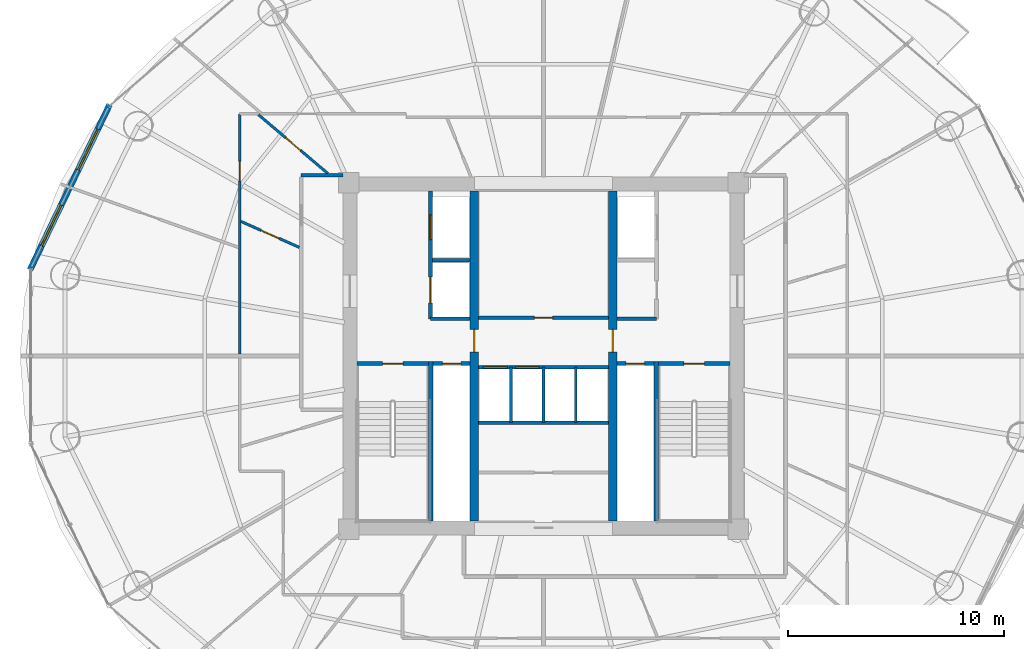
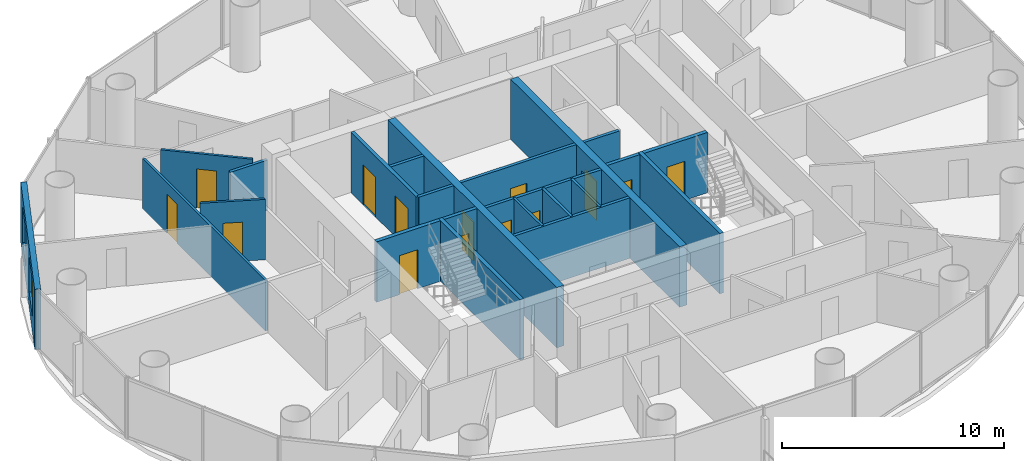
# One storey, part 22 of 27: 23 walls, 14 doors, 2 windows, 16 openings.
"""IFC4 building model written with IfcOpenShell, lengths in metres."""

import ifcopenshell
import ifcopenshell.guid

model = None  # the IFC model being written
_history = None  # IfcOwnerHistory: only IFC2X3 demands one
_inside = {}  # id of a spatial element -> (the spatial element, [elements in it])
_under = {}  # id of a project, library or spatial element -> (it, [spatial elements below it])
_declared = {}  # id of a project -> (the project, [libraries it declares])
_typed = {}  # id of a type object -> (the type object, [elements of that type])
_made_of = {}  # id of a material, layer set ... -> (it, [elements and type objects made of it])


def new_model(schema):
    """Start an empty IFC model of exactly this schema.

    Asked for "IFC4X3", IfcOpenShell would pick the latest addendum, in which some entities
    have other attributes; the version numbers below select the first issue.
    IFC2X3 requires an IfcOwnerHistory on every rooted entity: one is made here for all.
    """
    global model, _history
    if schema == "IFC4X3":
        model = ifcopenshell.file(schema_version=(4, 3, 0, 0))
    else:
        model = ifcopenshell.file(schema=schema)
    _inside.clear()
    _under.clear()
    _declared.clear()
    _typed.clear()
    _made_of.clear()
    _history = None
    if model.schema == "IFC2X3":
        org = make("IfcOrganization", Name="unknown")
        user = make(
            "IfcPersonAndOrganization",
            ThePerson=make("IfcPerson", FamilyName="unknown"),
            TheOrganization=org,
        )
        app = make(
            "IfcApplication",
            ApplicationDeveloper=org,
            Version="unknown",
            ApplicationFullName="unknown",
            ApplicationIdentifier="unknown",
        )
        _history = make(
            "IfcOwnerHistory",
            OwningUser=user,
            OwningApplication=app,
            ChangeAction="ADDED",
            CreationDate=0,
        )
    return model


def make(cls, **values):
    """One entity of the class cls with the attributes given. An attribute that is None is left unset."""
    return model.create_entity(
        cls, **{name: value for name, value in values.items() if value is not None}
    )


def rooted(cls, **values):
    """An entity with a GlobalId (a new one), such as an element, a storey or a relation."""
    return make(cls, GlobalId=ifcopenshell.guid.new(), OwnerHistory=_history, **values)


def si_unit(unit_type, name, prefix=None):
    """IfcSIUnit, for example si_unit("LENGTHUNIT", "METRE", prefix="MILLI")."""
    return make("IfcSIUnit", UnitType=unit_type, Prefix=prefix, Name=name)


def assignment(units):
    """IfcUnitAssignment: the units of a project."""
    return None if units is None else make("IfcUnitAssignment", Units=units)


def point(xyz):
    """IfcCartesianPoint."""
    return None if xyz is None else make("IfcCartesianPoint", Coordinates=xyz)


def direction(xyz):
    """IfcDirection."""
    return None if xyz is None else make("IfcDirection", DirectionRatios=xyz)


def frame(location, z_axis=None, x_axis=None):
    """IfcAxis2Placement3D, a coordinate frame: its origin and axes. An axis left out is left unset."""
    return make(
        "IfcAxis2Placement3D",
        Location=point(location),
        Axis=direction(z_axis),
        RefDirection=direction(x_axis),
    )


def frame_2d(location, x_axis=None):
    """IfcAxis2Placement2D, a coordinate frame in the plane: its origin and x axis."""
    return make(
        "IfcAxis2Placement2D", Location=point(location), RefDirection=direction(x_axis)
    )


def origin():
    """The frame at (0, 0, 0) with its axes left unset."""
    return frame((0.0, 0.0, 0.0))


def place(relative_to, where):
    """IfcLocalPlacement: puts the frame where relative to a parent placement (None: the world)."""
    return make(
        "IfcLocalPlacement", PlacementRelTo=relative_to, RelativePlacement=where
    )


def context(
    kind, dimensions, precision=None, world=None, true_north=None, identifier=None
):
    """IfcGeometricRepresentationContext, for example the 3D "Model" context."""
    return make(
        "IfcGeometricRepresentationContext",
        ContextIdentifier=identifier,
        ContextType=kind,
        CoordinateSpaceDimension=dimensions,
        Precision=precision,
        WorldCoordinateSystem=world,
        TrueNorth=true_north,
    )


def subcontext(parent, identifier, kind, view, scale=None):
    """IfcGeometricRepresentationSubContext, for example "Body" below "Model"."""
    return make(
        "IfcGeometricRepresentationSubContext",
        ContextIdentifier=identifier,
        ContextType=kind,
        ParentContext=parent,
        TargetScale=scale,
        TargetView=view,
    )


def project(units=None, contexts=None):
    """IfcProject with its units and contexts."""
    return rooted(
        "IfcProject",
        Name="project",
        RepresentationContexts=contexts,
        UnitsInContext=assignment(units),
    )


def spatial(cls, under=None, at=None, **own):
    """A site, building, storey or space (cls), placed at a placement, below another one or the project."""
    s = rooted(cls, ObjectPlacement=at, **own)
    if under is not None:
        _under.setdefault(under.id(), (under, []))[1].append(s)
    return s


def profile(cls, at=None, kind="AREA", **sizes):
    """A parametric profile (cls). Its sizes go by their IFC names, for example OverallWidth=200.0."""
    return make(cls, ProfileType=kind, Position=at, **sizes)


def rectangle(**sizes):
    """IfcRectangleProfileDef."""
    return profile("IfcRectangleProfileDef", **sizes)


def extrude(swept, where, along, depth):
    """IfcExtrudedAreaSolid: the profile swept, set in the frame where, extruded along a direction by depth."""
    return make(
        "IfcExtrudedAreaSolid",
        SweptArea=swept,
        Position=where,
        ExtrudedDirection=direction(along),
        Depth=depth,
    )


def shape(context_of_items, identifier, shape_type, items):
    """IfcShapeRepresentation: the items that make up one representation, for example the "Body"."""
    return make(
        "IfcShapeRepresentation",
        ContextOfItems=context_of_items,
        RepresentationIdentifier=identifier,
        RepresentationType=shape_type,
        Items=items,
    )


def source(mapping_origin, context_of_items, identifier, shape_type, items):
    """IfcRepresentationMap: a shape defined once, which mapped items show again and again."""
    return make(
        "IfcRepresentationMap",
        MappingOrigin=mapping_origin,
        MappedRepresentation=shape(context_of_items, identifier, shape_type, items),
    )


def transform(
    local_origin,
    x_axis=None,
    y_axis=None,
    z_axis=None,
    scale=None,
    scale2=None,
    scale3=None,
    uniform=True,
):
    """IfcCartesianTransformationOperator3D, or its non-uniform kind. x_axis, y_axis, z_axis: its Axis1, 2, 3."""
    if uniform:
        return make(
            "IfcCartesianTransformationOperator3D",
            Axis1=direction(x_axis),
            Axis2=direction(y_axis),
            LocalOrigin=point(local_origin),
            Scale=scale,
            Axis3=direction(z_axis),
        )
    return make(
        "IfcCartesianTransformationOperator3DnonUniform",
        Axis1=direction(x_axis),
        Axis2=direction(y_axis),
        LocalOrigin=point(local_origin),
        Scale=scale,
        Axis3=direction(z_axis),
        Scale2=scale2,
        Scale3=scale3,
    )


def mapped(mapping_source, mapping_target):
    """IfcMappedItem: shows the shape of a source again, moved by a transform."""
    return make(
        "IfcMappedItem", MappingSource=mapping_source, MappingTarget=mapping_target
    )


def material(Name=None, Category=None):
    """IfcMaterial."""
    return make("IfcMaterial", Name=Name, Category=Category)


def layer(
    of_material, thickness, ventilated=None, Name=None, Category=None, Priority=None
):
    """IfcMaterialLayer: one layer of a wall or slab, of a material (None: an air gap)."""
    return make(
        "IfcMaterialLayer",
        Material=of_material,
        LayerThickness=thickness,
        IsVentilated=ventilated,
        Name=Name,
        Category=Category,
        Priority=Priority,
    )


def layer_set(layers, Name=None):
    """IfcMaterialLayerSet."""
    return make("IfcMaterialLayerSet", MaterialLayers=layers, LayerSetName=Name)


def made_of(thing, what):
    """Note that an element or type object is made of a material, layer set ...; save() writes the relation."""
    if what is not None:
        _made_of.setdefault(what.id(), (what, []))[1].append(thing)
    return thing


def type_object(cls, material=None, **own):
    """A type object (cls), such as IfcWallType, which elements share."""
    return made_of(rooted(cls, **own), material)


def element(
    cls,
    number,
    at=None,
    inside=None,
    cuts=None,
    type_object=None,
    material=None,
    context=None,
    identifier="Body",
    shape_type=None,
    held_by="IfcProductDefinitionShape",
    body=None,
    shapes=None,
    **own,
):
    """One element of the class cls, such as IfcWall. Its Tag is "e" and its number.

    at: its placement. inside: the storey or other place that contains it. cuts: it is an
    opening in that element (IfcRelVoidsElement). A single representation is given by context,
    identifier, shape_type and body (its items); several are given by shapes. held_by: the class
    of the entity that holds the representations. save() writes the other relations.
    """
    e = rooted(cls, Tag="e%d" % number, ObjectPlacement=at, **own)
    if body is not None:
        shapes = [shape(context, identifier, shape_type, body)]
    if shapes is not None:
        e.Representation = make(held_by, Representations=shapes)
    if inside is not None:
        _inside.setdefault(inside.id(), (inside, []))[1].append(e)
    if cuts is not None:
        rooted(
            "IfcRelVoidsElement", RelatingBuildingElement=cuts, RelatedOpeningElement=e
        )
    if type_object is not None:
        _typed.setdefault(type_object.id(), (type_object, []))[1].append(e)
    return made_of(e, material)


def fill(opening, filler):
    """IfcRelFillsElement: the door or window that sits in an opening."""
    return rooted(
        "IfcRelFillsElement",
        RelatingOpeningElement=opening,
        RelatedBuildingElement=filler,
    )


def aggregate(whole, parts):
    """IfcRelAggregates: a whole, such as a stair, and the parts it consists of."""
    return rooted("IfcRelAggregates", RelatingObject=whole, RelatedObjects=parts)


def save(model, path):
    """Write the relations noted so far, then the file.

    IfcRelAggregates (storeys below a building ...), IfcRelContainedInSpatialStructure (elements
    in a storey), IfcRelDefinesByType, IfcRelAssociatesMaterial and IfcRelDeclares: one each for
    every whole, place, type object, material and project.
    """
    for whole, parts in _under.values():
        aggregate(whole, parts)
    for where, things in _inside.values():
        rooted(
            "IfcRelContainedInSpatialStructure",
            RelatedElements=things,
            RelatingStructure=where,
        )
    for kind, things in _typed.values():
        rooted("IfcRelDefinesByType", RelatedObjects=things, RelatingType=kind)
    for what, things in _made_of.values():
        rooted("IfcRelAssociatesMaterial", RelatedObjects=things, RelatingMaterial=what)
    for by, libraries in _declared.values():
        rooted("IfcRelDeclares", RelatingContext=by, RelatedDefinitions=libraries)
    model.write(path)


model = new_model("IFC4")

# Units and contexts
model_context = context("Model", 3, precision=1e-05, world=origin(), true_north=direction((-0.2419218956, 0.970295726276)))
body_context = subcontext(model_context, "Body", "Model", "MODEL_VIEW")
ifc_project = project(units=[si_unit("LENGTHUNIT", "METRE"), si_unit("AREAUNIT", "SQUARE_METRE"), si_unit("VOLUMEUNIT", "CUBIC_METRE"), si_unit("PLANEANGLEUNIT", "RADIAN"), si_unit("MASSUNIT", "GRAM", prefix="KILO")], contexts=[model_context])

# Site, building, storey
site_placement = place(None, origin())
site = spatial("IfcSite", under=ifc_project, at=site_placement, CompositionType="ELEMENT")
building_placement = place(site_placement, origin())
building = spatial("IfcBuilding", under=site, at=building_placement, Name="Cobrevalo Terracotta Tower", CompositionType="ELEMENT")
storey_placement = place(building_placement, frame((0.0, 0.0, 164.199951171875)))
storey = spatial("IfcBuildingStorey", under=building, at=storey_placement, Name="L43", CompositionType="ELEMENT", Elevation=164.199951171875)

# Walls
ifc_material_1 = material(Name="Gypsum board on steel stud", Category="steel")
ifc_layer_1 = layer(ifc_material_1, 0.159912109375)
ifc_layer_set_1 = layer_set([ifc_layer_1], Name="Gypsum board on steel stud")
wall_type_1 = type_object("IfcWallType", Name="Fire-rated corridor acoustic partition wall 160 mm", PredefinedType="PARTITIONING", material=ifc_layer_set_1)
wall_1_placement = place(storey_placement, frame((32.860107421875, 31.219970703125, 0.0), z_axis=(0.0, 0.0, 1.0), x_axis=(1.0, 0.0, 0.0)))
element("IfcWall", 1, at=wall_1_placement, inside=storey, type_object=wall_type_1, Name="L43 interior partition IW-L43-FF1-M", PredefinedType="PARTITIONING", context=body_context, shape_type="SweptSolid", body=[
    extrude(rectangle(XDim=1.75, YDim=0.159912109375, at=frame_2d((0.875, 0.0))), origin(), (0.0, 0.0, 1.0), 3.330078125),
])
for number, where, z_axis, x_axis, name in (
    (2, (32.77001953125, 28.52001953125, 0.0), (0.0, 0.0, 1.0), (1.0, 0.0, 0.0), "L43 interior partition IW-L43-FF1-S"),
    (3, (41.389892578125, 28.52001953125, 0.0), (0.0, 0.0, 1.0), (1.0, 0.0, 0.0), "L43 interior partition IW-L43-FF2-S"),
):
    element("IfcWall", number, at=place(storey_placement, frame(where, z_axis=z_axis, x_axis=x_axis)), inside=storey, type_object=wall_type_1, Name=name, PredefinedType="PARTITIONING", context=body_context, shape_type="SweptSolid", body=[
        extrude(rectangle(XDim=1.840087890625, YDim=0.159912109375, at=frame_2d((0.919921875, 0.0))), origin(), (0.0, 0.0, 1.0), 3.330078125),
    ])

# Wall, opening, door
wall_2_placement = place(storey_placement, frame((34.989990234375, 28.56005859375, 0.0), z_axis=(0.0, 0.0, 1.0), x_axis=(1.0, 0.0, 0.0)))
wall_2 = element("IfcWall", 4, at=wall_2_placement, inside=storey, type_object=wall_type_1, Name="L43 interior partition IW-L43-LB-S", PredefinedType="PARTITIONING", context=body_context, shape_type="SweptSolid", body=[
    extrude(rectangle(XDim=6.02001953125, YDim=0.159912109375, at=frame_2d((3.010009765625, 0.0))), origin(), (0.0, 0.0, 1.0), 3.330078125),
])
opening_1_placement = place(wall_2_placement, frame((2.5849609375, 0.0, 0.0)))
opening_1 = element("IfcOpeningElement", 5, at=opening_1_placement, cuts=wall_2, Name="Opening ID-22", PredefinedType="OPENING", context=body_context, shape_type="SweptSolid", body=[
    extrude(rectangle(XDim=0.85009765625, YDim=2.10009765625, at=frame_2d((0.425048828125, 1.050048828125))), frame((0.0, 0.08984375, 0.0), z_axis=(0.0, -1.0, 0.0), x_axis=(1.0, 0.0, 0.0)), (0.0, 0.0, 1.0), 0.179931640625),
])
ifc_material_2 = material(Name="Powder-coated steel", Category="steel")
door_type_1 = type_object("IfcDoorType", Name="Riser shaft & meter closet fire access door 850x2100 EI 60", OperationType="NOTDEFINED", PredefinedType="DOOR", material=ifc_material_2)
shared_shape_1 = source(origin(), body_context, "Body", "SweptSolid", [
    extrude(rectangle(XDim=0.85009765625, YDim=2.10009765625, at=frame_2d((0.425048828125, 1.050048828125))), frame((0.0, 0.02490234375, 0.0), z_axis=(0.0, -1.0, 0.0), x_axis=(1.0, 0.0, 0.0)), (0.0, 0.0, 1.0), 0.050048828125),
])
door_1_placement = place(opening_1_placement, origin())
door_1 = element("IfcDoor", 6, at=door_1_placement, inside=storey, type_object=door_type_1, Name="L43 core service door Floor Electrical Switchroom", OperationType="SINGLE_SWING_LEFT", OverallHeight=2.10009765625, OverallWidth=0.85009765625, PredefinedType="DOOR", context=body_context, shape_type="MappedRepresentation", body=[
    mapped(shared_shape_1, transform((0.0, 0.0, 0.0), scale=1.0)),
])
fill(opening_1, door_1)

# Wall, openings, doors
wall_3_placement = place(storey_placement, frame((34.989990234375, 26.280029296875, 0.0), z_axis=(0.0, 0.0, 1.0), x_axis=(1.0, 0.0, 0.0)))
wall_3 = element("IfcWall", 7, at=wall_3_placement, inside=storey, type_object=wall_type_1, Name="L43 interior partition IW-L43-MB-N", PredefinedType="PARTITIONING", context=body_context, shape_type="SweptSolid", body=[
    extrude(rectangle(XDim=6.02001953125, YDim=0.159912109375, at=frame_2d((3.010009765625, 0.0))), origin(), (0.0, 0.0, 1.0), 3.330078125),
])
opening_2_placement = place(wall_3_placement, frame((0.22509765625, 0.0, 0.0)))
opening_2 = element("IfcOpeningElement", 8, at=opening_2_placement, cuts=wall_3, Name="Opening LD-01", PredefinedType="OPENING", context=body_context, shape_type="SweptSolid", body=[
    extrude(rectangle(XDim=1.10009765625, YDim=2.199951171875, at=frame_2d((0.550048828125, 1.10009765625))), frame((0.0, 0.08984375, 0.0), z_axis=(0.0, -1.0, 0.0), x_axis=(1.0, 0.0, 0.0)), (0.0, 0.0, 1.0), 0.179931640625),
])
opening_3_placement = place(wall_3_placement, frame((1.705078125, 0.0, 0.0)))
opening_3 = element("IfcOpeningElement", 9, at=opening_3_placement, cuts=wall_3, Name="Opening LD-01", PredefinedType="OPENING", context=body_context, shape_type="SweptSolid", body=[
    extrude(rectangle(XDim=1.10009765625, YDim=2.199951171875, at=frame_2d((0.550048828125, 1.10009765625))), frame((0.0, 0.08984375, 0.0), z_axis=(0.0, -1.0, 0.0), x_axis=(1.0, 0.0, 0.0)), (0.0, 0.0, 1.0), 0.179931640625),
])
ifc_material_3 = material(Name="Brushed stainless steel", Category="steel")
door_type_2 = type_object("IfcDoorType", Name="Passenger lift landing bi-parting sliding door 1100x2200 EI 90", OperationType="DOUBLE_DOOR_SLIDING", PredefinedType="DOOR", material=ifc_material_3)
shared_shape_2 = source(origin(), body_context, "Body", "SweptSolid", [
    extrude(rectangle(XDim=1.10009765625, YDim=2.199951171875, at=frame_2d((0.550048828125, 1.10009765625))), frame((0.0, 0.02490234375, 0.0), z_axis=(0.0, -1.0, 0.0), x_axis=(1.0, 0.0, 0.0)), (0.0, 0.0, 1.0), 0.050048828125),
])
door_2_placement = place(opening_2_placement, origin())
door_2 = element("IfcDoor", 10, at=door_2_placement, inside=storey, type_object=door_type_2, Name="L43 lift landing door PL-M1", OperationType="DOUBLE_DOOR_SLIDING", OverallHeight=2.199951171875, OverallWidth=1.10009765625, PredefinedType="DOOR", context=body_context, shape_type="MappedRepresentation", body=[
    mapped(shared_shape_2, transform((0.0, 0.0, 0.0), scale=1.0)),
])
fill(opening_2, door_2)
door_3_placement = place(opening_3_placement, origin())
door_3 = element("IfcDoor", 11, at=door_3_placement, inside=storey, type_object=door_type_2, Name="L43 lift landing door PL-M2", OperationType="DOUBLE_DOOR_SLIDING", OverallHeight=2.199951171875, OverallWidth=1.10009765625, PredefinedType="DOOR", context=body_context, shape_type="MappedRepresentation", body=[
    mapped(shared_shape_2, transform((0.0, 0.0, 0.0), scale=1.0)),
])
fill(opening_3, door_3)

# Walls
wall_4_placement = place(storey_placement, frame((34.989990234375, 23.719970703125, 0.0), z_axis=(0.0, 0.0, 1.0), x_axis=(1.0, 0.0, 0.0)))
element("IfcWall", 12, at=wall_4_placement, inside=storey, type_object=wall_type_1, Name="L43 interior partition IW-L43-MB-S", PredefinedType="PARTITIONING", context=body_context, shape_type="SweptSolid", body=[
    extrude(rectangle(XDim=6.02001953125, YDim=0.159912109375, at=frame_2d((3.010009765625, 0.0))), origin(), (0.0, 0.0, 1.0), 3.330078125),
])
wall_5_placement = place(storey_placement, frame((26.794921875, 35.155029296875, 0.0), z_axis=(0.0, 0.0, 1.0), x_axis=(1.0, 0.0, 0.0)))
element("IfcWall", 13, at=wall_5_placement, inside=storey, type_object=wall_type_1, Name="L43 interior partition IW-L43-COR-WN-CAP", PredefinedType="PARTITIONING", context=body_context, shape_type="SweptSolid", body=[
    extrude(rectangle(XDim=1.93017578125, YDim=0.159912109375, at=frame_2d((0.965087890625, 0.0))), origin(), (0.0, 0.0, 1.0), 2.776123046875),
])

# Wall, opening, door
ifc_layer_2 = layer(ifc_material_1, 0.179931640625)
ifc_layer_set_2 = layer_set([ifc_layer_2], Name="Gypsum board on steel stud")
wall_type_2 = type_object("IfcWallType", Name="Fire-rated shaft & lobby acoustic partition wall 180 mm", PredefinedType="PARTITIONING", material=ifc_layer_set_2)
wall_6_placement = place(storey_placement, frame((32.89990234375, 26.449951171875, 0.0), z_axis=(0.0, 0.0, 1.0), x_axis=(1.0, 0.0, 0.0)))
wall_6 = element("IfcWall", 14, at=wall_6_placement, inside=storey, type_object=wall_type_2, Name="L43 interior partition IW-L43-RSW-N", PredefinedType="PARTITIONING", context=body_context, shape_type="SweptSolid", body=[
    extrude(rectangle(XDim=1.710205078125, YDim=0.179931640625, at=frame_2d((0.85498046875, 0.0))), origin(), (0.0, 0.0, 1.0), 3.330078125),
])
opening_4_placement = place(wall_6_placement, frame((0.429931640625, 0.0, 0.0)))
opening_4 = element("IfcOpeningElement", 15, at=opening_4_placement, cuts=wall_6, Name="Opening ID-22", PredefinedType="OPENING", context=body_context, shape_type="SweptSolid", body=[
    extrude(rectangle(XDim=0.85009765625, YDim=2.10009765625, at=frame_2d((0.425048828125, 1.050048828125))), frame((0.0, 0.10009765625, 0.0), z_axis=(0.0, -1.0, 0.0), x_axis=(1.0, 0.0, 0.0)), (0.0, 0.0, 1.0), 0.199951171875),
])
door_4_placement = place(opening_4_placement, origin())
door_4 = element("IfcDoor", 16, at=door_4_placement, inside=storey, type_object=door_type_1, Name="L43 riser access door RSW", OperationType="SINGLE_SWING_LEFT", OverallHeight=2.10009765625, OverallWidth=0.85009765625, PredefinedType="DOOR", context=body_context, shape_type="MappedRepresentation", body=[
    mapped(shared_shape_1, transform((0.0, 0.0, 0.0), scale=1.0)),
])
fill(opening_4, door_4)

wall_7_placement = place(storey_placement, frame((41.389892578125, 26.449951171875, 0.0), z_axis=(0.0, 0.0, 1.0), x_axis=(1.0, 0.0, 0.0)))
wall_7 = element("IfcWall", 17, at=wall_7_placement, inside=storey, type_object=wall_type_2, Name="L43 interior partition IW-L43-RSE-N", PredefinedType="PARTITIONING", context=body_context, shape_type="SweptSolid", body=[
    extrude(rectangle(XDim=1.710205078125, YDim=0.179931640625, at=frame_2d((0.85498046875, 0.0))), origin(), (0.0, 0.0, 1.0), 3.330078125),
])
opening_5_placement = place(wall_7_placement, frame((0.429931640625, 0.0, 0.0)))
opening_5 = element("IfcOpeningElement", 18, at=opening_5_placement, cuts=wall_7, Name="Opening ID-22", PredefinedType="OPENING", context=body_context, shape_type="SweptSolid", body=[
    extrude(rectangle(XDim=0.85009765625, YDim=2.10009765625, at=frame_2d((0.425048828125, 1.050048828125))), frame((0.0, 0.10009765625, 0.0), z_axis=(0.0, -1.0, 0.0), x_axis=(1.0, 0.0, 0.0)), (0.0, 0.0, 1.0), 0.199951171875),
])
door_5_placement = place(opening_5_placement, origin())
door_5 = element("IfcDoor", 19, at=door_5_placement, inside=storey, type_object=door_type_1, Name="L43 riser access door RSE", OperationType="SINGLE_SWING_RIGHT", OverallHeight=2.10009765625, OverallWidth=0.85009765625, PredefinedType="DOOR", context=body_context, shape_type="MappedRepresentation", body=[
    mapped(shared_shape_1, transform((0.0, 0.0, 0.0), scale=1.0)),
])
fill(opening_5, door_5)

# Wall, openings, doors
wall_8_placement = place(storey_placement, frame((32.77001953125, 28.52001953125, 0.0), z_axis=(0.0, 0.0, 1.0), x_axis=(0.0, 1.0, 0.0)))
wall_8 = element("IfcWall", 20, at=wall_8_placement, inside=storey, type_object=wall_type_2, Name="L43 interior partition IW-L43-FF1-W", PredefinedType="PARTITIONING", context=body_context, shape_type="SweptSolid", body=[
    extrude(rectangle(XDim=5.905029296875, YDim=0.179931640625, at=frame_2d((2.95263671875, 0.0))), origin(), (0.0, 0.0, 1.0), 3.330078125),
])
opening_6_placement = place(wall_8_placement, frame((3.655029296875, 0.0, 0.0)))
opening_6 = element("IfcOpeningElement", 21, at=opening_6_placement, cuts=wall_8, Name="Opening LD-02", PredefinedType="OPENING", context=body_context, shape_type="SweptSolid", body=[
    extrude(rectangle(XDim=1.14990234375, YDim=2.199951171875, at=frame_2d((0.574951171875, 1.10009765625))), frame((0.0, 0.10009765625, 0.0), z_axis=(0.0, -1.0, 0.0), x_axis=(1.0, 0.0, 0.0)), (0.0, 0.0, 1.0), 0.199951171875),
])
opening_7_placement = place(wall_8_placement, frame((0.72998046875, 0.0, 0.0)))
opening_7 = element("IfcOpeningElement", 22, at=opening_7_placement, cuts=wall_8, Name="Opening LD-03", PredefinedType="OPENING", context=body_context, shape_type="SweptSolid", body=[
    extrude(rectangle(XDim=1.199951171875, YDim=2.25, at=frame_2d((0.60009765625, 1.125))), frame((0.0, 0.10009765625, 0.0), z_axis=(0.0, -1.0, 0.0), x_axis=(1.0, 0.0, 0.0)), (0.0, 0.0, 1.0), 0.199951171875),
])
door_type_3 = type_object("IfcDoorType", Name="Firefighting lift landing bi-parting sliding door 1150x2200 EI 120", OperationType="DOUBLE_DOOR_SLIDING", PredefinedType="DOOR", material=ifc_material_3)
shared_shape_3 = source(origin(), body_context, "Body", "SweptSolid", [
    extrude(rectangle(XDim=1.14990234375, YDim=2.199951171875, at=frame_2d((0.574951171875, 1.10009765625))), frame((0.0, 0.02490234375, 0.0), z_axis=(0.0, -1.0, 0.0), x_axis=(1.0, 0.0, 0.0)), (0.0, 0.0, 1.0), 0.050048828125),
])
door_6_placement = place(opening_6_placement, origin())
door_6 = element("IfcDoor", 23, at=door_6_placement, inside=storey, type_object=door_type_3, Name="L43 lift landing door FF-1", OperationType="DOUBLE_DOOR_SLIDING", OverallHeight=2.199951171875, OverallWidth=1.14990234375, PredefinedType="DOOR", context=body_context, shape_type="MappedRepresentation", body=[
    mapped(shared_shape_3, transform((0.0, 0.0, 0.0), scale=1.0)),
])
fill(opening_6, door_6)
door_type_4 = type_object("IfcDoorType", Name="Service lift landing bi-parting sliding door 1200x2250 EI 120", OperationType="DOUBLE_DOOR_SLIDING", PredefinedType="DOOR", material=ifc_material_3)
shared_shape_4 = source(origin(), body_context, "Body", "SweptSolid", [
    extrude(rectangle(XDim=1.199951171875, YDim=2.25, at=frame_2d((0.60009765625, 1.125))), frame((0.0, 0.02490234375, 0.0), z_axis=(0.0, -1.0, 0.0), x_axis=(1.0, 0.0, 0.0)), (0.0, 0.0, 1.0), 0.050048828125),
])
door_7_placement = place(opening_7_placement, origin())
door_7 = element("IfcDoor", 24, at=door_7_placement, inside=storey, type_object=door_type_4, Name="L43 lift landing door SV-1", OperationType="DOUBLE_DOOR_SLIDING", OverallHeight=2.25, OverallWidth=1.199951171875, PredefinedType="DOOR", context=body_context, shape_type="MappedRepresentation", body=[
    mapped(shared_shape_4, transform((0.0, 0.0, 0.0), scale=1.0)),
])
fill(opening_7, door_7)

# Walls
ifc_material_4 = material(Name="Autoclaved aerated concrete block", Category="concrete")
ifc_layer_3 = layer(ifc_material_4, 0.1201171875)
ifc_layer_set_3 = layer_set([ifc_layer_3], Name="Autoclaved aerated concrete block")
wall_type_3 = type_object("IfcWallType", Name="Fire-rated wet-room & core service partition 120 mm", PredefinedType="PARTITIONING", material=ifc_layer_set_3)
for number, where, z_axis, x_axis, name in (
    (25, (36.5, 23.719970703125, 0.0), (0.0, 0.0, 1.0), (0.0, 1.0, 0.0), "L43 interior partition IW-L43-MB-D1"),
    (26, (39.5, 23.719970703125, 0.0), (0.0, 0.0, 1.0), (0.0, 1.0, 0.0), "L43 interior partition IW-L43-MB-D3"),
):
    element("IfcWall", number, at=place(storey_placement, frame(where, z_axis=z_axis, x_axis=x_axis)), inside=storey, type_object=wall_type_3, Name=name, PredefinedType="PARTITIONING", context=body_context, shape_type="SweptSolid", body=[
        extrude(rectangle(XDim=2.56005859375, YDim=0.1201171875, at=frame_2d((1.280029296875, 0.0))), origin(), (0.0, 0.0, 1.0), 3.330078125),
    ])

# Wall, openings, windows
ifc_layer_4 = layer(ifc_material_4, 0.280029296875)
ifc_layer_set_4 = layer_set([ifc_layer_4], Name="Autoclaved aerated concrete block")
wall_type_4 = type_object("IfcWallType", Name="Insulated tower spandrel & pier wall 280 mm with terracotta rainscreen", PredefinedType="SOLIDWALL", material=ifc_layer_set_4)
wall_9_placement = place(storey_placement, frame((17.938232421875, 38.411376953125, 0.0), z_axis=(0.0, 0.0, 1.0), x_axis=(-0.434209827226, -0.900811759437, 0.0)))
wall_9 = element("IfcWall", 27, at=wall_9_placement, inside=storey, type_object=wall_type_4, Name="L43 terracotta rainscreen pier wall S07", PredefinedType="SOLIDWALL", context=body_context, shape_type="SweptSolid", body=[
    extrude(rectangle(XDim=8.4716796875, YDim=0.280029296875, at=frame_2d((4.23583984375, 0.0))), origin(), (0.0, 0.0, 1.0), 3.330078125),
])
opening_8_placement = place(wall_9_placement, frame((1.2373046875, 0.0, 0.85009765625)))
opening_8 = element("IfcOpeningElement", 28, at=opening_8_placement, cuts=wall_9, Name="Opening WN-10", PredefinedType="OPENING", context=body_context, shape_type="SweptSolid", body=[
    extrude(rectangle(XDim=2.10009765625, YDim=1.949951171875, at=frame_2d((1.050048828125, 0.97509765625))), frame((0.0, 0.14990234375, 0.0), z_axis=(0.0, -1.0, 0.0), x_axis=(1.0, 0.0, 0.0)), (0.0, 0.0, 1.0), 0.300048828125),
])
opening_9_placement = place(wall_9_placement, frame((5.13427734375, 0.0, 0.85009765625)))
opening_9 = element("IfcOpeningElement", 29, at=opening_9_placement, cuts=wall_9, Name="Opening WN-10", PredefinedType="OPENING", context=body_context, shape_type="SweptSolid", body=[
    extrude(rectangle(XDim=2.10009765625, YDim=1.949951171875, at=frame_2d((1.050048828125, 0.97509765625))), frame((0.0, 0.14990234375, 0.0), z_axis=(0.0, -1.0, 0.0), x_axis=(1.0, 0.0, 0.0)), (0.0, 0.0, 1.0), 0.300048828125),
])
ifc_material_5 = material(Name="Solar-control low-E double glazing", Category="glass")
window_type = type_object("IfcWindowType", Name="Wide panoramic low-E aluminium window 2100x1950", PartitioningType="SINGLE_PANEL", PredefinedType="WINDOW", material=ifc_material_5)
shared_shape_5 = source(origin(), body_context, "Body", "SweptSolid", [
    extrude(rectangle(XDim=2.10009765625, YDim=1.949951171875, at=frame_2d((1.050048828125, 0.97509765625))), frame((0.0, 0.030029296875, 0.0), z_axis=(0.0, -1.0, 0.0), x_axis=(1.0, 0.0, 0.0)), (0.0, 0.0, 1.0), 0.06005859375),
])
window_1_placement = place(opening_8_placement, origin())
window_1 = element("IfcWindow", 30, at=window_1_placement, inside=storey, type_object=window_type, Name="L43 suite window S07A", OverallHeight=1.949951171875, OverallWidth=2.10009765625, PartitioningType="SINGLE_PANEL", PredefinedType="WINDOW", context=body_context, shape_type="MappedRepresentation", body=[
    mapped(shared_shape_5, transform((0.0, 0.0, 0.0), scale=1.0)),
])
fill(opening_8, window_1)
window_2_placement = place(opening_9_placement, origin())
window_2 = element("IfcWindow", 31, at=window_2_placement, inside=storey, type_object=window_type, Name="L43 suite window S07B", OverallHeight=1.949951171875, OverallWidth=2.10009765625, PartitioningType="SINGLE_PANEL", PredefinedType="WINDOW", context=body_context, shape_type="MappedRepresentation", body=[
    mapped(shared_shape_5, transform((0.0, 0.0, 0.0), scale=1.0)),
])
fill(opening_9, window_2)

# Wall, opening, door
ifc_material_6 = material(Name="Concrete C50", Category="concrete")
ifc_layer_5 = layer(ifc_material_6, 0.3798828125)
ifc_layer_set_5 = layer_set([ifc_layer_5], Name="Concrete C50")
wall_type_5 = type_object("IfcWallType", Name="Internal core shear web wall 380 mm Concrete C50", PredefinedType="SHEAR", material=ifc_layer_set_5)
wall_10_placement = place(storey_placement, frame((34.800048828125, 19.175048828125, 0.0), z_axis=(0.0, 0.0, 1.0), x_axis=(0.0, 1.0, 0.0)))
wall_10 = element("IfcWall", 32, at=wall_10_placement, inside=storey, type_object=wall_type_5, Name="L43 internal core shear wall WEB-W", PredefinedType="SHEAR", context=body_context, shape_type="SweptSolid", body=[
    extrude(rectangle(XDim=15.25, YDim=0.3798828125, at=frame_2d((7.625, 0.0))), origin(), (0.0, 0.0, 1.0), 3.330078125),
])
opening_10_placement = place(wall_10_placement, frame((7.800048828125, 0.0, 0.0)))
opening_10 = element("IfcOpeningElement", 33, at=opening_10_placement, cuts=wall_10, Name="Opening ID-11", PredefinedType="OPENING", context=body_context, shape_type="SweptSolid", body=[
    extrude(rectangle(XDim=1.050048828125, YDim=2.14990234375, at=frame_2d((0.52490234375, 1.074951171875))), frame((0.0, 0.199951171875, 0.0), z_axis=(0.0, -1.0, 0.0), x_axis=(1.0, 0.0, 0.0)), (0.0, 0.0, 1.0), 0.39990234375),
])
ifc_material_7 = material(Name="Galvanized fire-rated steel", Category="steel")
door_type_5 = type_object("IfcDoorType", Name="Core concourse cross fire door 1050x2150 EI 90", OperationType="NOTDEFINED", PredefinedType="DOOR", material=ifc_material_7)
shared_shape_6 = source(origin(), body_context, "Body", "SweptSolid", [
    extrude(rectangle(XDim=1.050048828125, YDim=2.14990234375, at=frame_2d((0.52490234375, 1.074951171875))), frame((0.0, 0.02490234375, 0.0), z_axis=(0.0, -1.0, 0.0), x_axis=(1.0, 0.0, 0.0)), (0.0, 0.0, 1.0), 0.050048828125),
])
door_8_placement = place(opening_10_placement, origin())
door_8 = element("IfcDoor", 34, at=door_8_placement, inside=storey, type_object=door_type_5, Name="L43 west core concourse cross door", OperationType="SINGLE_SWING_LEFT", OverallHeight=2.14990234375, OverallWidth=1.050048828125, PredefinedType="DOOR", context=body_context, shape_type="MappedRepresentation", body=[
    mapped(shared_shape_6, transform((0.0, 0.0, 0.0), scale=1.0)),
])
fill(opening_10, door_8)

wall_11_placement = place(storey_placement, frame((41.199951171875, 19.175048828125, 0.0), z_axis=(0.0, 0.0, 1.0), x_axis=(0.0, 1.0, 0.0)))
wall_11 = element("IfcWall", 35, at=wall_11_placement, inside=storey, type_object=wall_type_5, Name="L43 internal core shear wall WEB-E", PredefinedType="SHEAR", context=body_context, shape_type="SweptSolid", body=[
    extrude(rectangle(XDim=15.25, YDim=0.3798828125, at=frame_2d((7.625, 0.0))), origin(), (0.0, 0.0, 1.0), 3.330078125),
])
opening_11_placement = place(wall_11_placement, frame((7.800048828125, 0.0, 0.0)))
opening_11 = element("IfcOpeningElement", 36, at=opening_11_placement, cuts=wall_11, Name="Opening ID-11", PredefinedType="OPENING", context=body_context, shape_type="SweptSolid", body=[
    extrude(rectangle(XDim=1.050048828125, YDim=2.14990234375, at=frame_2d((0.52490234375, 1.074951171875))), frame((0.0, 0.199951171875, 0.0), z_axis=(0.0, -1.0, 0.0), x_axis=(1.0, 0.0, 0.0)), (0.0, 0.0, 1.0), 0.39990234375),
])
door_9_placement = place(opening_11_placement, frame((1.050048828125, 0.0, 0.0), z_axis=(0.0, 0.0, 1.0), x_axis=(-1.0, 0.0, 0.0)))
door_9 = element("IfcDoor", 37, at=door_9_placement, inside=storey, type_object=door_type_5, Name="L43 east core concourse cross door", OperationType="SINGLE_SWING_RIGHT", OverallHeight=2.14990234375, OverallWidth=1.050048828125, PredefinedType="DOOR", context=body_context, shape_type="MappedRepresentation", body=[
    mapped(shared_shape_6, transform((0.0, 0.0, 0.0), scale=1.0)),
])
fill(opening_11, door_9)

# Wall
ifc_layer_6 = layer(ifc_material_4, 0.139892578125)
ifc_layer_set_6 = layer_set([ifc_layer_6], Name="Autoclaved aerated concrete block")
wall_type_6 = type_object("IfcWallType", Name="Moisture-resistant wet-room & core service partition 140 mm", PredefinedType="PARTITIONING", material=ifc_layer_set_6)
wall_12_placement = place(storey_placement, frame((38.0, 23.719970703125, 0.0), z_axis=(0.0, 0.0, 1.0), x_axis=(0.0, 1.0, 0.0)))
element("IfcWall", 38, at=wall_12_placement, inside=storey, type_object=wall_type_6, Name="L43 interior partition IW-L43-MB-D2", PredefinedType="PARTITIONING", context=body_context, shape_type="SweptSolid", body=[
    extrude(rectangle(XDim=2.56005859375, YDim=0.139892578125, at=frame_2d((1.280029296875, 0.0))), origin(), (0.0, 0.0, 1.0), 3.330078125),
])

# Wall, opening, door
ifc_layer_7 = layer(ifc_material_1, 0.1201171875)
ifc_layer_set_7 = layer_set([ifc_layer_7], Name="Gypsum board on steel stud")
wall_type_7 = type_object("IfcWallType", Name="Residential internal acoustic stud partition 120 mm", PredefinedType="PARTITIONING", material=ifc_layer_set_7)
wall_13_placement = place(storey_placement, frame((23.955078125, 26.902099609375, 0.0), z_axis=(0.0, 0.0, 1.0), x_axis=(0.0, 1.0, 0.0)))
wall_13 = element("IfcWall", 39, at=wall_13_placement, inside=storey, type_object=wall_type_7, Name="L43 interior partition IW-L43-U2-RING0_0", PredefinedType="PARTITIONING", context=body_context, shape_type="SweptSolid", body=[
    extrude(rectangle(XDim=11.093017578125, YDim=0.1201171875, at=frame_2d((5.54638671875, 0.0))), origin(), (0.0, 0.0, 1.0), 2.776123046875),
])
opening_12_placement = place(wall_13_placement, frame((7.99658203125, 0.0, 0.0)))
opening_12 = element("IfcOpeningElement", 40, at=opening_12_placement, cuts=wall_13, Name="Opening ID-12", PredefinedType="OPENING", context=body_context, shape_type="SweptSolid", body=[
    extrude(rectangle(XDim=0.89990234375, YDim=2.14990234375, at=frame_2d((0.449951171875, 1.074951171875))), frame((0.0, 0.070068359375, 0.0), z_axis=(0.0, -1.0, 0.0), x_axis=(1.0, 0.0, 0.0)), (0.0, 0.0, 1.0), 0.14013671875),
])
ifc_material_8 = material(Name="Engineered timber", Category="wood")
door_type_6 = type_object("IfcDoorType", Name="Internal residence & suite timber door 900x2150", OperationType="NOTDEFINED", PredefinedType="DOOR", material=ifc_material_8)
shared_shape_7 = source(origin(), body_context, "Body", "SweptSolid", [
    extrude(rectangle(XDim=0.89990234375, YDim=2.14990234375, at=frame_2d((0.449951171875, 1.074951171875))), frame((0.0, 0.02490234375, 0.0), z_axis=(0.0, -1.0, 0.0), x_axis=(1.0, 0.0, 0.0)), (0.0, 0.0, 1.0), 0.050048828125),
])
door_10_placement = place(opening_12_placement, origin())
door_10 = element("IfcDoor", 41, at=door_10_placement, inside=storey, type_object=door_type_6, Name="Flat L43B Principal Guest Bedroom internal door", OperationType="SINGLE_SWING_RIGHT", OverallHeight=2.14990234375, OverallWidth=0.89990234375, PredefinedType="DOOR", context=body_context, shape_type="MappedRepresentation", body=[
    mapped(shared_shape_7, transform((0.0, 0.0, 0.0), scale=1.0)),
])
fill(opening_12, door_10)

wall_14_placement = place(storey_placement, frame((28.032470703125, 35.236328125, 0.0), z_axis=(0.0, 0.0, 1.0), x_axis=(-0.763324664245, 0.646015059388, 0.0)))
wall_14 = element("IfcWall", 42, at=wall_14_placement, inside=storey, type_object=wall_type_7, Name="L43 interior partition IW-L43-U2-IRAD2", PredefinedType="PARTITIONING", context=body_context, shape_type="SweptSolid", body=[
    extrude(rectangle(XDim=4.2080078125, YDim=0.1201171875, at=frame_2d((2.10400390625, 0.0))), origin(), (0.0, 0.0, 1.0), 3.005126953125),
])
opening_13_placement = place(wall_14_placement, frame((1.654052734375, 0.0, 0.0)))
opening_13 = element("IfcOpeningElement", 43, at=opening_13_placement, cuts=wall_14, Name="Opening ID-12", PredefinedType="OPENING", context=body_context, shape_type="SweptSolid", body=[
    extrude(rectangle(XDim=0.89990234375, YDim=2.14990234375, at=frame_2d((0.449951171875, 1.074951171875))), frame((0.0, 0.070068359375, 0.0), z_axis=(0.0, -1.0, 0.0), x_axis=(1.0, 0.0, 0.0)), (0.0, 0.0, 1.0), 0.14013671875),
])
door_11_placement = place(opening_13_placement, frame((0.89990234375, 0.0, 0.0), z_axis=(0.0, 0.0, 1.0), x_axis=(-1.0, 0.0, 0.0)))
door_11 = element("IfcDoor", 44, at=door_11_placement, inside=storey, type_object=door_type_6, Name="Flat L43B Reception Hallway internal door", OperationType="SINGLE_SWING_LEFT", OverallHeight=2.14990234375, OverallWidth=0.89990234375, PredefinedType="DOOR", context=body_context, shape_type="MappedRepresentation", body=[
    mapped(shared_shape_7, transform((0.0, 0.0, 0.0), scale=1.0)),
])
fill(opening_13, door_11)

wall_15_placement = place(storey_placement, frame((26.715087890625, 31.817626953125, 0.0), z_axis=(0.0, 0.0, 1.0), x_axis=(-0.91376049718, 0.406253312347, 0.0)))
wall_15 = element("IfcWall", 45, at=wall_15_placement, inside=storey, type_object=wall_type_7, Name="L43 interior partition IW-L43-U2-IRAD3", PredefinedType="PARTITIONING", context=body_context, shape_type="SweptSolid", body=[
    extrude(rectangle(XDim=2.95849609375, YDim=0.1201171875, at=frame_2d((1.479248046875, 0.0))), origin(), (0.0, 0.0, 1.0), 3.330078125),
])
opening_14_placement = place(wall_15_placement, frame((1.029296875, 0.0, 0.0)))
opening_14 = element("IfcOpeningElement", 46, at=opening_14_placement, cuts=wall_15, Name="Opening ID-12", PredefinedType="OPENING", context=body_context, shape_type="SweptSolid", body=[
    extrude(rectangle(XDim=0.89990234375, YDim=2.14990234375, at=frame_2d((0.449951171875, 1.074951171875))), frame((0.0, 0.070068359375, 0.0), z_axis=(0.0, -1.0, 0.0), x_axis=(1.0, 0.0, 0.0)), (0.0, 0.0, 1.0), 0.14013671875),
])
door_12_placement = place(opening_14_placement, origin())
door_12 = element("IfcDoor", 47, at=door_12_placement, inside=storey, type_object=door_type_6, Name="Flat L43B Private Library Meeting Room internal door", OperationType="SINGLE_SWING_RIGHT", OverallHeight=2.14990234375, OverallWidth=0.89990234375, PredefinedType="DOOR", context=body_context, shape_type="MappedRepresentation", body=[
    mapped(shared_shape_7, transform((0.0, 0.0, 0.0), scale=1.0)),
])
fill(opening_14, door_12)

# Wall
ifc_layer_8 = layer(ifc_material_6, 0.199951171875)
ifc_layer_set_8 = layer_set([ifc_layer_8], Name="Concrete C50")
wall_type_8 = type_object("IfcWallType", Name="Structural core & podium stair-shaft RC wall 200 mm Concrete C50", PredefinedType="SOLIDWALL", material=ifc_layer_set_8)
wall_16_placement = place(storey_placement, frame((32.794921875, 19.175048828125, 0.0), z_axis=(0.0, 0.0, 1.0), x_axis=(0.0, 1.0, 0.0)))
element("IfcWall", 48, at=wall_16_placement, inside=storey, type_object=wall_type_8, Name="L43 ST-1 east structural shaft wall", PredefinedType="SOLIDWALL", context=body_context, shape_type="SweptSolid", body=[
    extrude(rectangle(XDim=7.375, YDim=0.199951171875, at=frame_2d((3.6875, 0.0))), origin(), (0.0, 0.0, 1.0), 3.330078125),
])

# Wall, opening, door
wall_17_placement = place(storey_placement, frame((29.375, 26.449951171875, 0.0), z_axis=(0.0, 0.0, 1.0), x_axis=(1.0, 0.0, 0.0)))
wall_17 = element("IfcWall", 49, at=wall_17_placement, inside=storey, type_object=wall_type_8, Name="L43 ST-1 north structural shaft wall", PredefinedType="SOLIDWALL", context=body_context, shape_type="SweptSolid", body=[
    extrude(rectangle(XDim=3.320068359375, YDim=0.199951171875, at=frame_2d((1.66015625, 0.0))), origin(), (0.0, 0.0, 1.0), 3.330078125),
])
opening_15_placement = place(wall_17_placement, frame((1.18505859375, 0.0, 0.0)))
opening_15 = element("IfcOpeningElement", 50, at=opening_15_placement, cuts=wall_17, Name="Opening ID-04", PredefinedType="OPENING", context=body_context, shape_type="SweptSolid", body=[
    extrude(rectangle(XDim=0.949951171875, YDim=2.14990234375, at=frame_2d((0.47509765625, 1.074951171875))), frame((0.0, 0.10986328125, 0.0), z_axis=(0.0, -1.0, 0.0), x_axis=(1.0, 0.0, 0.0)), (0.0, 0.0, 1.0), 0.219970703125),
])
door_type_7 = type_object("IfcDoorType", Name="Stair & firefighting lobby fire door 950x2150 EI 90", OperationType="NOTDEFINED", PredefinedType="DOOR", material=ifc_material_7)
shared_shape_8 = source(origin(), body_context, "Body", "SweptSolid", [
    extrude(rectangle(XDim=0.949951171875, YDim=2.14990234375, at=frame_2d((0.47509765625, 1.074951171875))), frame((0.0, 0.02490234375, 0.0), z_axis=(0.0, -1.0, 0.0), x_axis=(1.0, 0.0, 0.0)), (0.0, 0.0, 1.0), 0.050048828125),
])
door_13_placement = place(opening_15_placement, origin())
door_13 = element("IfcDoor", 51, at=door_13_placement, inside=storey, type_object=door_type_7, Name="L43 protected stair ST1 fire door", OperationType="SINGLE_SWING_LEFT", OverallHeight=2.14990234375, OverallWidth=0.949951171875, PredefinedType="DOOR", context=body_context, shape_type="MappedRepresentation", body=[
    mapped(shared_shape_8, transform((0.0, 0.0, 0.0), scale=1.0)),
])
fill(opening_15, door_13)

# Wall
wall_18_placement = place(storey_placement, frame((43.205078125, 19.175048828125, 0.0), z_axis=(0.0, 0.0, 1.0), x_axis=(0.0, 1.0, 0.0)))
element("IfcWall", 52, at=wall_18_placement, inside=storey, type_object=wall_type_8, Name="L43 ST-2 west structural shaft wall", PredefinedType="SOLIDWALL", context=body_context, shape_type="SweptSolid", body=[
    extrude(rectangle(XDim=7.375, YDim=0.199951171875, at=frame_2d((3.6875, 0.0))), origin(), (0.0, 0.0, 1.0), 3.330078125),
])

# Wall, opening, door
wall_19_placement = place(storey_placement, frame((43.304931640625, 26.449951171875, 0.0), z_axis=(0.0, 0.0, 1.0), x_axis=(1.0, 0.0, 0.0)))
wall_19 = element("IfcWall", 53, at=wall_19_placement, inside=storey, type_object=wall_type_8, Name="L43 ST-2 north structural shaft wall", PredefinedType="SOLIDWALL", context=body_context, shape_type="SweptSolid", body=[
    extrude(rectangle(XDim=3.320068359375, YDim=0.199951171875, at=frame_2d((1.66015625, 0.0))), origin(), (0.0, 0.0, 1.0), 3.330078125),
])
opening_16_placement = place(wall_19_placement, frame((1.18505859375, 0.0, 0.0)))
opening_16 = element("IfcOpeningElement", 54, at=opening_16_placement, cuts=wall_19, Name="Opening ID-04", PredefinedType="OPENING", context=body_context, shape_type="SweptSolid", body=[
    extrude(rectangle(XDim=0.949951171875, YDim=2.14990234375, at=frame_2d((0.47509765625, 1.074951171875))), frame((0.0, 0.10986328125, 0.0), z_axis=(0.0, -1.0, 0.0), x_axis=(1.0, 0.0, 0.0)), (0.0, 0.0, 1.0), 0.219970703125),
])
door_14_placement = place(opening_16_placement, frame((0.949951171875, 0.0, 0.0), z_axis=(0.0, 0.0, 1.0), x_axis=(-1.0, 0.0, 0.0)))
door_14 = element("IfcDoor", 55, at=door_14_placement, inside=storey, type_object=door_type_7, Name="L43 protected stair ST2 fire door", OperationType="SINGLE_SWING_RIGHT", OverallHeight=2.14990234375, OverallWidth=0.949951171875, PredefinedType="DOOR", context=body_context, shape_type="MappedRepresentation", body=[
    mapped(shared_shape_8, transform((0.0, 0.0, 0.0), scale=1.0)),
])
fill(opening_16, door_14)

save(model, "model.ifc")
